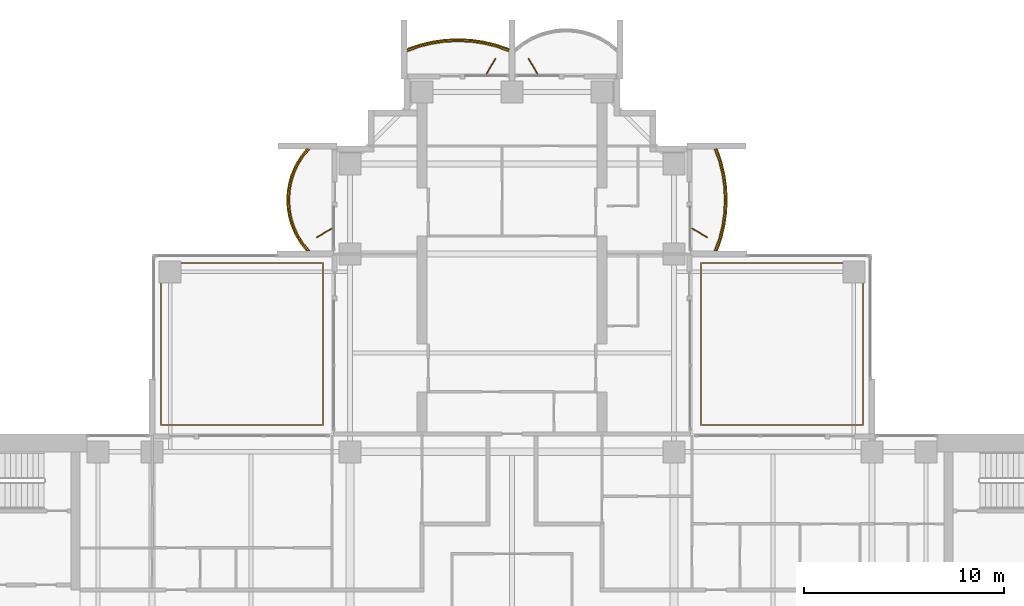
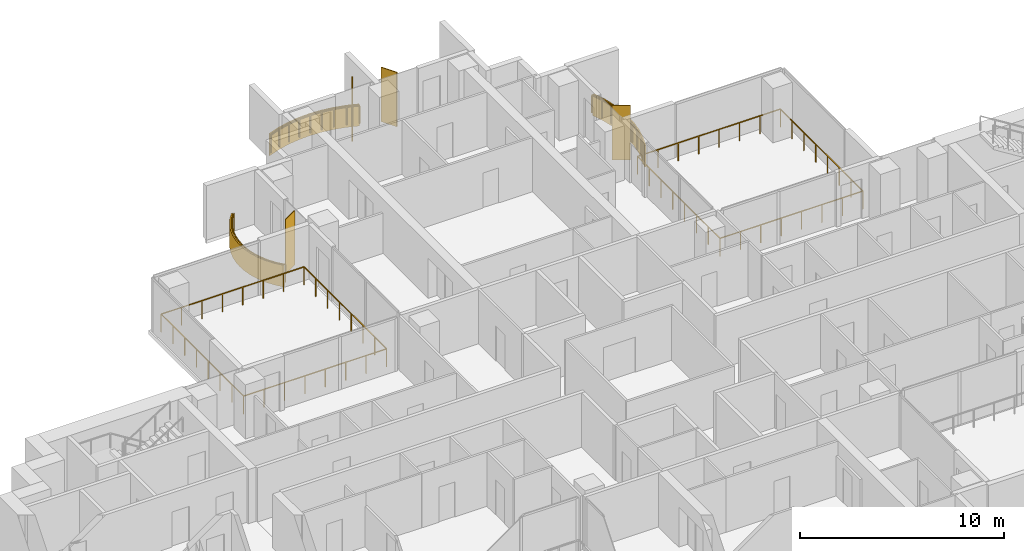
# One storey, part 18 of 19: 5 railings, 4 shading devices, 3 coverings.
"""IFC4 building model written with IfcOpenShell, lengths in metres."""

from ifc_helpers import new_model, si_unit, direction, frame, origin, origin_2d, place, context, subcontext, project, spatial, polyline, rectangle, outline, extrude, material, layer, layer_set, type_object, element, save


model = new_model("IFC4")

# Units and contexts
model_context = context("Model", 3, precision=1e-05, world=origin(), true_north=direction((0.0, 1.0)))
body_context = subcontext(model_context, "Body", "Model", "MODEL_VIEW")
ifc_project = project(units=[si_unit("LENGTHUNIT", "METRE"), si_unit("AREAUNIT", "SQUARE_METRE"), si_unit("VOLUMEUNIT", "CUBIC_METRE"), si_unit("PLANEANGLEUNIT", "RADIAN"), si_unit("MASSUNIT", "GRAM", prefix="KILO")], contexts=[model_context])

# Site, building, storey
site_placement = place(None, origin())
site = spatial("IfcSite", under=ifc_project, at=site_placement, CompositionType="ELEMENT")
building_placement = place(site_placement, origin())
building = spatial("IfcBuilding", under=site, at=building_placement, Name="Perihelion Cross Residences", CompositionType="ELEMENT")
storey_placement = place(building_placement, frame((0.0, 0.0, 119.89990234375)))
storey = spatial("IfcBuildingStorey", under=building, at=storey_placement, Name="L28", CompositionType="ELEMENT", Elevation=119.89990234375)

# Coverings
ifc_material_1 = material(Name="Bronze anodised aluminium", Category="aluminium")
ifc_layer_1 = layer(ifc_material_1, 0.070068359375)
ifc_layer_set_1 = layer_set([ifc_layer_1], Name="Balcony fascia 1300")
covering_type = type_object("IfcCoveringType", Name="Balcony fascia 1300", PredefinedType="CLADDING", material=ifc_layer_set_1)
covering_1_placement = place(storey_placement, frame((0.0, 0.0, -0.199951171875)))
element("IfcCovering", 1, at=covering_1_placement, inside=storey, type_object=covering_type, Name="Fascia BF1 L28 north side east bay 2", PredefinedType="CLADDING", context=body_context, shape_type="SweptSolid", body=[
    extrude(outline(polyline([(10.49072265625, 18.767578125), (10.647216796875, 19.411865234375), (10.739501953125, 20.055908203125), (10.77001953125, 20.699951171875), (10.739501953125, 21.34423828125), (10.647216796875, 21.98828125), (10.49072265625, 22.63232421875), (10.274169921875, 23.25), (10.199951171875, 23.25), (10.423583984375, 22.612548828125), (10.57861328125, 21.97509765625), (10.669921875, 21.33740234375), (10.699951171875, 20.699951171875), (10.669921875, 20.0625), (10.57861328125, 19.425048828125), (10.423583984375, 18.78759765625), (10.199951171875, 18.14990234375), (10.274169921875, 18.14990234375), (10.49072265625, 18.767578125)])), origin(), (0.0, 0.0, 1.0), 1.300048828125),
])
covering_2_placement = place(storey_placement, frame((0.0, 0.0, -0.199951171875)))
element("IfcCovering", 2, at=covering_2_placement, inside=storey, type_object=covering_type, Name="Fascia BF1 L28 north tip north bay 2", PredefinedType="CLADDING", context=body_context, shape_type="SweptSolid", body=[
    extrude(outline(polyline([(-0.767578125, 28.49072265625), (-1.411865234375, 28.647216796875), (-2.055908203125, 28.739501953125), (-2.699951171875, 28.77001953125), (-3.34423828125, 28.739501953125), (-3.98828125, 28.647216796875), (-4.63232421875, 28.49072265625), (-5.25, 28.274169921875), (-5.25, 28.199951171875), (-4.612548828125, 28.423583984375), (-3.97509765625, 28.57861328125), (-3.33740234375, 28.669921875), (-2.699951171875, 28.699951171875), (-2.0625, 28.669921875), (-1.425048828125, 28.57861328125), (-0.78759765625, 28.423583984375), (-0.14990234375, 28.199951171875), (-0.14990234375, 28.274169921875), (-0.767578125, 28.49072265625)])), origin(), (0.0, 0.0, 1.0), 1.300048828125),
])
covering_3_placement = place(storey_placement, frame((0.0, 0.0, -0.199951171875)))
element("IfcCovering", 3, at=covering_3_placement, inside=storey, type_object=covering_type, Name="Fascia BF1 L28 north side west bay 1", PredefinedType="CLADDING", context=body_context, shape_type="SweptSolid", body=[
    extrude(outline(polyline([(-10.59765625, 22.86474609375), (-10.85498046875, 22.431884765625), (-11.04248046875, 21.998779296875), (-11.170654296875, 21.56591796875), (-11.245361328125, 21.133056640625), (-11.27001953125, 20.699951171875), (-11.245361328125, 20.26708984375), (-11.170654296875, 19.833984375), (-11.04248046875, 19.401123046875), (-10.85498046875, 18.96826171875), (-10.59765625, 18.53515625), (-10.28955078125, 18.14990234375), (-10.199951171875, 18.14990234375), (-10.5400390625, 18.574951171875), (-10.792724609375, 19.0), (-10.9765625, 19.425048828125), (-11.1025390625, 19.85009765625), (-11.17578125, 20.27490234375), (-11.199951171875, 20.699951171875), (-11.17578125, 21.125), (-11.1025390625, 21.550048828125), (-10.9765625, 21.97509765625), (-10.792724609375, 22.39990234375), (-10.5400390625, 22.824951171875), (-10.199951171875, 23.25), (-10.28955078125, 23.25), (-10.59765625, 22.86474609375)])), origin(), (0.0, 0.0, 1.0), 1.300048828125),
])

# Railings
ifc_material_2 = material(Name="Bronze anodised aluminium", Category="aluminium")
railing_type = type_object("IfcRailingType", Name="Balcony guard 1100", PredefinedType="GUARDRAIL", material=ifc_material_2)
railing_1_placement = place(storey_placement, frame((10.139892578125, 18.175048828125, 0.0)))
element("IfcRailing", 4, at=railing_1_placement, inside=storey, type_object=railing_type, Name="Guard GU1 L28 north side east bay 2 balcony", PredefinedType="GUARDRAIL", context=body_context, shape_type="SweptSolid", body=[
    extrude(rectangle(XDim=0.048095703125, YDim=0.048095703125, at=origin_2d()), frame((0.0, 0.0, 1.076171875), z_axis=(0.342945217749, 0.939355405384, 0.0), x_axis=(-0.939355405384, 0.342945217749, 0.0)), (0.0, 0.0, 1.0), 0.652099609375),
    extrude(rectangle(XDim=0.048095703125, YDim=0.048095703125, at=origin_2d()), frame((0.2236328125, 0.612548828125, 1.076171875), z_axis=(0.236313594268, 0.971676841941, 0.0), x_axis=(-0.971676841941, 0.236313594268, 0.0)), (0.0, 0.0, 1.0), 0.656005859375),
    extrude(rectangle(XDim=0.048095703125, YDim=0.048095703125, at=origin_2d()), frame((0.378662109375, 1.25, 1.076171875), z_axis=(0.141792889142, 0.989896346386, 0.0), x_axis=(-0.989896346386, 0.141792889142, 0.0)), (0.0, 0.0, 1.0), 0.64404296875),
    extrude(rectangle(XDim=0.048095703125, YDim=0.048095703125, at=origin_2d()), frame((0.469970703125, 1.887451171875, 1.076171875), z_axis=(0.04705620296, 0.998892243319, 0.0), x_axis=(-0.998892243319, 0.04705620296, 0.0)), (0.0, 0.0, 1.0), 0.63818359375),
    extrude(rectangle(XDim=0.048095703125, YDim=0.048095703125, at=origin_2d()), frame((0.5, 2.52490234375, 1.076171875), z_axis=(-0.04705620296, 0.998892243319, 0.0), x_axis=(-0.998892243319, -0.04705620296, 0.0)), (0.0, 0.0, 1.0), 0.63818359375),
    extrude(rectangle(XDim=0.048095703125, YDim=0.048095703125, at=origin_2d()), frame((0.469970703125, 3.162353515625, 1.076171875), z_axis=(-0.141739694763, 0.989903964498, 0.0), x_axis=(-0.989903964498, -0.141739694763, 0.0)), (0.0, 0.0, 1.0), 0.644287109375),
    extrude(rectangle(XDim=0.048095703125, YDim=0.048095703125, at=origin_2d()), frame((0.378662109375, 3.800048828125, 1.076171875), z_axis=(-0.236313594268, 0.971676841941, 0.0), x_axis=(-0.971676841941, -0.236313594268, 0.0)), (0.0, 0.0, 1.0), 0.656005859375),
    extrude(rectangle(XDim=0.048095703125, YDim=0.048095703125, at=origin_2d()), frame((0.2236328125, 4.4375, 1.076171875), z_axis=(-0.342945217749, 0.939355405384, 0.0), x_axis=(-0.939355405384, -0.342945217749, 0.0)), (0.0, 0.0, 1.0), 0.652099609375),
    extrude(rectangle(XDim=0.0419921875, YDim=0.0419921875, at=origin_2d()), origin(), (0.0, 0.0, 1.0), 1.052001953125),
    extrude(rectangle(XDim=0.0419921875, YDim=0.0419921875, at=origin_2d()), frame((0.2236328125, 0.612548828125, 0.0)), (0.0, 0.0, 1.0), 1.052001953125),
    extrude(rectangle(XDim=0.0419921875, YDim=0.0419921875, at=origin_2d()), frame((0.378662109375, 1.25, 0.0)), (0.0, 0.0, 1.0), 1.052001953125),
    extrude(rectangle(XDim=0.0419921875, YDim=0.0419921875, at=origin_2d()), frame((0.469970703125, 1.887451171875, 0.0)), (0.0, 0.0, 1.0), 1.052001953125),
    extrude(rectangle(XDim=0.0419921875, YDim=0.0419921875, at=origin_2d()), frame((0.5, 2.52490234375, 0.0)), (0.0, 0.0, 1.0), 1.052001953125),
    extrude(rectangle(XDim=0.0419921875, YDim=0.0419921875, at=origin_2d()), frame((0.469970703125, 3.162353515625, 0.0)), (0.0, 0.0, 1.0), 1.052001953125),
    extrude(rectangle(XDim=0.0419921875, YDim=0.0419921875, at=origin_2d()), frame((0.378662109375, 3.800048828125, 0.0)), (0.0, 0.0, 1.0), 1.052001953125),
    extrude(rectangle(XDim=0.0419921875, YDim=0.0419921875, at=origin_2d()), frame((0.2236328125, 4.4375, 0.0)), (0.0, 0.0, 1.0), 1.052001953125),
    extrude(rectangle(XDim=0.0419921875, YDim=0.0419921875, at=origin_2d()), frame((0.0, 5.050048828125, 0.0)), (0.0, 0.0, 1.0), 1.052001953125),
])
railing_2_placement = place(storey_placement, frame((-0.175048828125, 28.139892578125, 0.0)))
element("IfcRailing", 5, at=railing_2_placement, inside=storey, type_object=railing_type, Name="Guard GU1 L28 north tip north bay 2 balcony", PredefinedType="GUARDRAIL", context=body_context, shape_type="SweptSolid", body=[
    extrude(rectangle(XDim=0.048095703125, YDim=0.048095703125, at=origin_2d()), frame((0.0, 0.0, 1.076171875), z_axis=(-0.939355405384, 0.342945217749, 0.0), x_axis=(-0.342945217749, -0.939355405384, 0.0)), (0.0, 0.0, 1.0), 0.652099609375),
    extrude(rectangle(XDim=0.048095703125, YDim=0.048095703125, at=origin_2d()), frame((-0.612548828125, 0.2236328125, 1.076171875), z_axis=(-0.971676841941, 0.236313594268, 0.0), x_axis=(-0.236313594268, -0.971676841941, 0.0)), (0.0, 0.0, 1.0), 0.656005859375),
    extrude(rectangle(XDim=0.048095703125, YDim=0.048095703125, at=origin_2d()), frame((-1.25, 0.378662109375, 1.076171875), z_axis=(-0.989896346386, 0.141792889142, 0.0), x_axis=(-0.141792889142, -0.989896346386, 0.0)), (0.0, 0.0, 1.0), 0.64404296875),
    extrude(rectangle(XDim=0.048095703125, YDim=0.048095703125, at=origin_2d()), frame((-1.887451171875, 0.469970703125, 1.076171875), z_axis=(-0.998892243319, 0.04705620296, 0.0), x_axis=(-0.04705620296, -0.998892243319, 0.0)), (0.0, 0.0, 1.0), 0.63818359375),
    extrude(rectangle(XDim=0.048095703125, YDim=0.048095703125, at=origin_2d()), frame((-2.52490234375, 0.5, 1.076171875), z_axis=(-0.998892243319, -0.04705620296, 0.0), x_axis=(0.04705620296, -0.998892243319, 0.0)), (0.0, 0.0, 1.0), 0.63818359375),
    extrude(rectangle(XDim=0.048095703125, YDim=0.048095703125, at=origin_2d()), frame((-3.162353515625, 0.469970703125, 1.076171875), z_axis=(-0.989903964498, -0.141739694763, 0.0), x_axis=(0.141739694763, -0.989903964498, 0.0)), (0.0, 0.0, 1.0), 0.644287109375),
    extrude(rectangle(XDim=0.048095703125, YDim=0.048095703125, at=origin_2d()), frame((-3.800048828125, 0.378662109375, 1.076171875), z_axis=(-0.971676841941, -0.236313594268, 0.0), x_axis=(0.236313594268, -0.971676841941, 0.0)), (0.0, 0.0, 1.0), 0.656005859375),
    extrude(rectangle(XDim=0.048095703125, YDim=0.048095703125, at=origin_2d()), frame((-4.4375, 0.2236328125, 1.076171875), z_axis=(-0.939355405384, -0.342945217749, 0.0), x_axis=(0.342945217749, -0.939355405384, 0.0)), (0.0, 0.0, 1.0), 0.652099609375),
    extrude(rectangle(XDim=0.0419921875, YDim=0.0419921875, at=origin_2d()), origin(), (0.0, 0.0, 1.0), 1.052001953125),
    extrude(rectangle(XDim=0.0419921875, YDim=0.0419921875, at=origin_2d()), frame((-0.612548828125, 0.2236328125, 0.0)), (0.0, 0.0, 1.0), 1.052001953125),
    extrude(rectangle(XDim=0.0419921875, YDim=0.0419921875, at=origin_2d()), frame((-1.25, 0.378662109375, 0.0)), (0.0, 0.0, 1.0), 1.052001953125),
    extrude(rectangle(XDim=0.0419921875, YDim=0.0419921875, at=origin_2d()), frame((-1.887451171875, 0.469970703125, 0.0)), (0.0, 0.0, 1.0), 1.052001953125),
    extrude(rectangle(XDim=0.0419921875, YDim=0.0419921875, at=origin_2d()), frame((-2.52490234375, 0.5, 0.0)), (0.0, 0.0, 1.0), 1.052001953125),
    extrude(rectangle(XDim=0.0419921875, YDim=0.0419921875, at=origin_2d()), frame((-3.162353515625, 0.469970703125, 0.0)), (0.0, 0.0, 1.0), 1.052001953125),
    extrude(rectangle(XDim=0.0419921875, YDim=0.0419921875, at=origin_2d()), frame((-3.800048828125, 0.378662109375, 0.0)), (0.0, 0.0, 1.0), 1.052001953125),
    extrude(rectangle(XDim=0.0419921875, YDim=0.0419921875, at=origin_2d()), frame((-4.4375, 0.2236328125, 0.0)), (0.0, 0.0, 1.0), 1.052001953125),
    extrude(rectangle(XDim=0.0419921875, YDim=0.0419921875, at=origin_2d()), frame((-5.050048828125, 0.0, 0.0)), (0.0, 0.0, 1.0), 1.052001953125),
])
railing_3_placement = place(storey_placement, frame((-10.139892578125, 23.22509765625, 0.0)))
element("IfcRailing", 6, at=railing_3_placement, inside=storey, type_object=railing_type, Name="Guard GU1 L28 north side west bay 1 balcony", PredefinedType="GUARDRAIL", context=body_context, shape_type="SweptSolid", body=[
    extrude(rectangle(XDim=0.048095703125, YDim=0.048095703125, at=origin_2d()), frame((0.0, 0.0, 1.076171875), z_axis=(-0.647607934281, -0.761973728849, 0.0), x_axis=(0.761973728849, -0.647607934281, 0.0)), (0.0, 0.0, 1.0), 0.525146484375),
    extrude(rectangle(XDim=0.048095703125, YDim=0.048095703125, at=origin_2d()), frame((-0.340087890625, -0.400146484375, 1.076171875), z_axis=(-0.511006381501, -0.859576918062, 0.0), x_axis=(0.859576918062, -0.511006381501, 0.0)), (0.0, 0.0, 1.0), 0.494384765625),
    extrude(rectangle(XDim=0.048095703125, YDim=0.048095703125, at=origin_2d()), frame((-0.5927734375, -0.8251953125, 1.076171875), z_axis=(-0.397607437634, -0.91755562531, 0.0), x_axis=(0.91755562531, -0.397607437634, 0.0)), (0.0, 0.0, 1.0), 0.462890625),
    extrude(rectangle(XDim=0.048095703125, YDim=0.048095703125, at=origin_2d()), frame((-0.77685546875, -1.25, 1.076171875), z_axis=(-0.283656975924, -0.958925815697, 0.0), x_axis=(0.958925815697, -0.283656975924, 0.0)), (0.0, 0.0, 1.0), 0.443359375),
    extrude(rectangle(XDim=0.048095703125, YDim=0.048095703125, at=origin_2d()), frame((-0.902587890625, -1.675048828125, 1.076171875), z_axis=(-0.17036177859, -0.985381583142, 0.0), x_axis=(0.985381583142, -0.17036177859, 0.0)), (0.0, 0.0, 1.0), 0.431396484375),
    extrude(rectangle(XDim=0.048095703125, YDim=0.048095703125, at=origin_2d()), frame((-0.97607421875, -2.10009765625, 1.076171875), z_axis=(-0.056200523353, -0.9984195016, 0.0), x_axis=(0.9984195016, -0.056200523353, 0.0)), (0.0, 0.0, 1.0), 0.42578125),
    extrude(rectangle(XDim=0.048095703125, YDim=0.048095703125, at=origin_2d()), frame((-1.0, -2.525146484375, 1.076171875), z_axis=(0.056200523353, -0.9984195016, 0.0), x_axis=(0.9984195016, 0.056200523353, 0.0)), (0.0, 0.0, 1.0), 0.42578125),
    extrude(rectangle(XDim=0.048095703125, YDim=0.048095703125, at=origin_2d()), frame((-0.97607421875, -2.9501953125, 1.076171875), z_axis=(0.170456843651, -0.985365142702, 0.0), x_axis=(0.985365142702, 0.170456843651, 0.0)), (0.0, 0.0, 1.0), 0.43115234375),
    extrude(rectangle(XDim=0.048095703125, YDim=0.048095703125, at=origin_2d()), frame((-0.902587890625, -3.375, 1.076171875), z_axis=(0.283656975924, -0.958925815697, 0.0), x_axis=(0.958925815697, 0.283656975924, 0.0)), (0.0, 0.0, 1.0), 0.443359375),
    extrude(rectangle(XDim=0.048095703125, YDim=0.048095703125, at=origin_2d()), frame((-0.77685546875, -3.800048828125, 1.076171875), z_axis=(0.397415137459, -0.917638931453, 0.0), x_axis=(0.917638931453, 0.397415137459, 0.0)), (0.0, 0.0, 1.0), 0.463134765625),
    extrude(rectangle(XDim=0.048095703125, YDim=0.048095703125, at=origin_2d()), frame((-0.5927734375, -4.22509765625, 1.076171875), z_axis=(0.511006381501, -0.859576918062, 0.0), x_axis=(0.859576918062, 0.511006381501, 0.0)), (0.0, 0.0, 1.0), 0.494384765625),
    extrude(rectangle(XDim=0.048095703125, YDim=0.048095703125, at=origin_2d()), frame((-0.340087890625, -4.650146484375, 1.076171875), z_axis=(0.647837396648, -0.761778647315, 0.0), x_axis=(0.761778647315, 0.647837396648, 0.0)), (0.0, 0.0, 1.0), 0.52490234375),
    extrude(rectangle(XDim=0.0419921875, YDim=0.0419921875, at=origin_2d()), origin(), (0.0, 0.0, 1.0), 1.052001953125),
    extrude(rectangle(XDim=0.0419921875, YDim=0.0419921875, at=origin_2d()), frame((-0.340087890625, -0.400146484375, 0.0)), (0.0, 0.0, 1.0), 1.052001953125),
    extrude(rectangle(XDim=0.0419921875, YDim=0.0419921875, at=origin_2d()), frame((-0.5927734375, -0.8251953125, 0.0)), (0.0, 0.0, 1.0), 1.052001953125),
    extrude(rectangle(XDim=0.0419921875, YDim=0.0419921875, at=origin_2d()), frame((-0.77685546875, -1.25, 0.0)), (0.0, 0.0, 1.0), 1.052001953125),
    extrude(rectangle(XDim=0.0419921875, YDim=0.0419921875, at=origin_2d()), frame((-0.902587890625, -1.675048828125, 0.0)), (0.0, 0.0, 1.0), 1.052001953125),
    extrude(rectangle(XDim=0.0419921875, YDim=0.0419921875, at=origin_2d()), frame((-0.97607421875, -2.10009765625, 0.0)), (0.0, 0.0, 1.0), 1.052001953125),
    extrude(rectangle(XDim=0.0419921875, YDim=0.0419921875, at=origin_2d()), frame((-1.0, -2.525146484375, 0.0)), (0.0, 0.0, 1.0), 1.052001953125),
    extrude(rectangle(XDim=0.0419921875, YDim=0.0419921875, at=origin_2d()), frame((-0.97607421875, -2.9501953125, 0.0)), (0.0, 0.0, 1.0), 1.052001953125),
    extrude(rectangle(XDim=0.0419921875, YDim=0.0419921875, at=origin_2d()), frame((-0.902587890625, -3.375, 0.0)), (0.0, 0.0, 1.0), 1.052001953125),
    extrude(rectangle(XDim=0.0419921875, YDim=0.0419921875, at=origin_2d()), frame((-0.77685546875, -3.800048828125, 0.0)), (0.0, 0.0, 1.0), 1.052001953125),
    extrude(rectangle(XDim=0.0419921875, YDim=0.0419921875, at=origin_2d()), frame((-0.5927734375, -4.22509765625, 0.0)), (0.0, 0.0, 1.0), 1.052001953125),
    extrude(rectangle(XDim=0.0419921875, YDim=0.0419921875, at=origin_2d()), frame((-0.340087890625, -4.650146484375, 0.0)), (0.0, 0.0, 1.0), 1.052001953125),
    extrude(rectangle(XDim=0.0419921875, YDim=0.0419921875, at=origin_2d()), frame((0.0, -5.050048828125, 0.0)), (0.0, 0.0, 1.0), 1.052001953125),
])
railing_4_placement = place(storey_placement, frame((17.550048828125, 9.449951171875, 0.0)))
element("IfcRailing", 7, at=railing_4_placement, inside=storey, type_object=railing_type, Name="Guard GU1 L28 pocket north-east 1", PredefinedType="GUARDRAIL", context=body_context, shape_type="SweptSolid", body=[
    extrude(rectangle(XDim=0.048095703125, YDim=0.048095703125, at=origin_2d()), frame((0.0, 0.0, 1.076171875), z_axis=(-1.0, 0.0, 0.0), x_axis=(0.0, -1.0, 0.0)), (0.0, 0.0, 1.0), 8.10009765625),
    extrude(rectangle(XDim=0.048095703125, YDim=0.048095703125, at=origin_2d()), frame((-8.10009765625, 0.0, 1.076171875), z_axis=(0.0, 1.0, 0.0), x_axis=(-1.0, 0.0, 0.0)), (0.0, 0.0, 1.0), 8.10009765625),
    extrude(rectangle(XDim=0.048095703125, YDim=0.048095703125, at=origin_2d()), frame((-8.10009765625, 8.10009765625, 1.076171875), z_axis=(1.0, 0.0, 0.0), x_axis=(0.0, 1.0, 0.0)), (0.0, 0.0, 1.0), 8.10009765625),
    extrude(rectangle(XDim=0.048095703125, YDim=0.048095703125, at=origin_2d()), frame((0.0, 8.10009765625, 1.076171875), z_axis=(0.0, -1.0, 0.0), x_axis=(1.0, 0.0, 0.0)), (0.0, 0.0, 1.0), 8.10009765625),
    extrude(rectangle(XDim=0.0419921875, YDim=0.0419921875, at=origin_2d()), origin(), (0.0, 0.0, 1.0), 1.052001953125),
    extrude(rectangle(XDim=0.0419921875, YDim=0.0419921875, at=origin_2d()), frame((-1.1572265625, 0.0, 0.0)), (0.0, 0.0, 1.0), 1.052001953125),
    extrude(rectangle(XDim=0.0419921875, YDim=0.0419921875, at=origin_2d()), frame((-2.314208984375, 0.0, 0.0)), (0.0, 0.0, 1.0), 1.052001953125),
    extrude(rectangle(XDim=0.0419921875, YDim=0.0419921875, at=origin_2d()), frame((-3.471435546875, 0.0, 0.0)), (0.0, 0.0, 1.0), 1.052001953125),
    extrude(rectangle(XDim=0.0419921875, YDim=0.0419921875, at=origin_2d()), frame((-4.628662109375, 0.0, 0.0)), (0.0, 0.0, 1.0), 1.052001953125),
    extrude(rectangle(XDim=0.0419921875, YDim=0.0419921875, at=origin_2d()), frame((-5.785888671875, 0.0, 0.0)), (0.0, 0.0, 1.0), 1.052001953125),
    extrude(rectangle(XDim=0.0419921875, YDim=0.0419921875, at=origin_2d()), frame((-6.94287109375, 0.0, 0.0)), (0.0, 0.0, 1.0), 1.052001953125),
    extrude(rectangle(XDim=0.0419921875, YDim=0.0419921875, at=origin_2d()), frame((-8.10009765625, 0.0, 0.0)), (0.0, 0.0, 1.0), 1.052001953125),
    extrude(rectangle(XDim=0.0419921875, YDim=0.0419921875, at=origin_2d()), frame((-8.10009765625, 1.1572265625, 0.0)), (0.0, 0.0, 1.0), 1.052001953125),
    extrude(rectangle(XDim=0.0419921875, YDim=0.0419921875, at=origin_2d()), frame((-8.10009765625, 2.314208984375, 0.0)), (0.0, 0.0, 1.0), 1.052001953125),
    extrude(rectangle(XDim=0.0419921875, YDim=0.0419921875, at=origin_2d()), frame((-8.10009765625, 3.471435546875, 0.0)), (0.0, 0.0, 1.0), 1.052001953125),
    extrude(rectangle(XDim=0.0419921875, YDim=0.0419921875, at=origin_2d()), frame((-8.10009765625, 4.628662109375, 0.0)), (0.0, 0.0, 1.0), 1.052001953125),
    extrude(rectangle(XDim=0.0419921875, YDim=0.0419921875, at=origin_2d()), frame((-8.10009765625, 5.785888671875, 0.0)), (0.0, 0.0, 1.0), 1.052001953125),
    extrude(rectangle(XDim=0.0419921875, YDim=0.0419921875, at=origin_2d()), frame((-8.10009765625, 6.94287109375, 0.0)), (0.0, 0.0, 1.0), 1.052001953125),
    extrude(rectangle(XDim=0.0419921875, YDim=0.0419921875, at=origin_2d()), frame((-8.10009765625, 8.10009765625, 0.0)), (0.0, 0.0, 1.0), 1.052001953125),
    extrude(rectangle(XDim=0.0419921875, YDim=0.0419921875, at=origin_2d()), frame((-6.94287109375, 8.10009765625, 0.0)), (0.0, 0.0, 1.0), 1.052001953125),
    extrude(rectangle(XDim=0.0419921875, YDim=0.0419921875, at=origin_2d()), frame((-5.785888671875, 8.10009765625, 0.0)), (0.0, 0.0, 1.0), 1.052001953125),
    extrude(rectangle(XDim=0.0419921875, YDim=0.0419921875, at=origin_2d()), frame((-4.628662109375, 8.10009765625, 0.0)), (0.0, 0.0, 1.0), 1.052001953125),
    extrude(rectangle(XDim=0.0419921875, YDim=0.0419921875, at=origin_2d()), frame((-3.471435546875, 8.10009765625, 0.0)), (0.0, 0.0, 1.0), 1.052001953125),
    extrude(rectangle(XDim=0.0419921875, YDim=0.0419921875, at=origin_2d()), frame((-2.314208984375, 8.10009765625, 0.0)), (0.0, 0.0, 1.0), 1.052001953125),
    extrude(rectangle(XDim=0.0419921875, YDim=0.0419921875, at=origin_2d()), frame((-1.1572265625, 8.10009765625, 0.0)), (0.0, 0.0, 1.0), 1.052001953125),
    extrude(rectangle(XDim=0.0419921875, YDim=0.0419921875, at=origin_2d()), frame((0.0, 8.10009765625, 0.0)), (0.0, 0.0, 1.0), 1.052001953125),
    extrude(rectangle(XDim=0.0419921875, YDim=0.0419921875, at=origin_2d()), frame((0.0, 6.94287109375, 0.0)), (0.0, 0.0, 1.0), 1.052001953125),
    extrude(rectangle(XDim=0.0419921875, YDim=0.0419921875, at=origin_2d()), frame((0.0, 5.785888671875, 0.0)), (0.0, 0.0, 1.0), 1.052001953125),
    extrude(rectangle(XDim=0.0419921875, YDim=0.0419921875, at=origin_2d()), frame((0.0, 4.628662109375, 0.0)), (0.0, 0.0, 1.0), 1.052001953125),
    extrude(rectangle(XDim=0.0419921875, YDim=0.0419921875, at=origin_2d()), frame((0.0, 3.471435546875, 0.0)), (0.0, 0.0, 1.0), 1.052001953125),
    extrude(rectangle(XDim=0.0419921875, YDim=0.0419921875, at=origin_2d()), frame((0.0, 2.314208984375, 0.0)), (0.0, 0.0, 1.0), 1.052001953125),
    extrude(rectangle(XDim=0.0419921875, YDim=0.0419921875, at=origin_2d()), frame((0.0, 1.1572265625, 0.0)), (0.0, 0.0, 1.0), 1.052001953125),
])
railing_5_placement = place(storey_placement, frame((-9.449951171875, 9.449951171875, 0.0)))
element("IfcRailing", 8, at=railing_5_placement, inside=storey, type_object=railing_type, Name="Guard GU1 L28 pocket north-west 1", PredefinedType="GUARDRAIL", context=body_context, shape_type="SweptSolid", body=[
    extrude(rectangle(XDim=0.048095703125, YDim=0.048095703125, at=origin_2d()), frame((0.0, 0.0, 1.076171875), z_axis=(-1.0, 0.0, 0.0), x_axis=(0.0, -1.0, 0.0)), (0.0, 0.0, 1.0), 8.10009765625),
    extrude(rectangle(XDim=0.048095703125, YDim=0.048095703125, at=origin_2d()), frame((-8.10009765625, 0.0, 1.076171875), z_axis=(0.0, 1.0, 0.0), x_axis=(-1.0, 0.0, 0.0)), (0.0, 0.0, 1.0), 8.10009765625),
    extrude(rectangle(XDim=0.048095703125, YDim=0.048095703125, at=origin_2d()), frame((-8.10009765625, 8.10009765625, 1.076171875), z_axis=(1.0, 0.0, 0.0), x_axis=(0.0, 1.0, 0.0)), (0.0, 0.0, 1.0), 8.10009765625),
    extrude(rectangle(XDim=0.048095703125, YDim=0.048095703125, at=origin_2d()), frame((0.0, 8.10009765625, 1.076171875), z_axis=(0.0, -1.0, 0.0), x_axis=(1.0, 0.0, 0.0)), (0.0, 0.0, 1.0), 8.10009765625),
    extrude(rectangle(XDim=0.0419921875, YDim=0.0419921875, at=origin_2d()), origin(), (0.0, 0.0, 1.0), 1.052001953125),
    extrude(rectangle(XDim=0.0419921875, YDim=0.0419921875, at=origin_2d()), frame((-1.1572265625, 0.0, 0.0)), (0.0, 0.0, 1.0), 1.052001953125),
    extrude(rectangle(XDim=0.0419921875, YDim=0.0419921875, at=origin_2d()), frame((-2.314208984375, 0.0, 0.0)), (0.0, 0.0, 1.0), 1.052001953125),
    extrude(rectangle(XDim=0.0419921875, YDim=0.0419921875, at=origin_2d()), frame((-3.471435546875, 0.0, 0.0)), (0.0, 0.0, 1.0), 1.052001953125),
    extrude(rectangle(XDim=0.0419921875, YDim=0.0419921875, at=origin_2d()), frame((-4.628662109375, 0.0, 0.0)), (0.0, 0.0, 1.0), 1.052001953125),
    extrude(rectangle(XDim=0.0419921875, YDim=0.0419921875, at=origin_2d()), frame((-5.785888671875, 0.0, 0.0)), (0.0, 0.0, 1.0), 1.052001953125),
    extrude(rectangle(XDim=0.0419921875, YDim=0.0419921875, at=origin_2d()), frame((-6.94287109375, 0.0, 0.0)), (0.0, 0.0, 1.0), 1.052001953125),
    extrude(rectangle(XDim=0.0419921875, YDim=0.0419921875, at=origin_2d()), frame((-8.10009765625, 0.0, 0.0)), (0.0, 0.0, 1.0), 1.052001953125),
    extrude(rectangle(XDim=0.0419921875, YDim=0.0419921875, at=origin_2d()), frame((-8.10009765625, 1.1572265625, 0.0)), (0.0, 0.0, 1.0), 1.052001953125),
    extrude(rectangle(XDim=0.0419921875, YDim=0.0419921875, at=origin_2d()), frame((-8.10009765625, 2.314208984375, 0.0)), (0.0, 0.0, 1.0), 1.052001953125),
    extrude(rectangle(XDim=0.0419921875, YDim=0.0419921875, at=origin_2d()), frame((-8.10009765625, 3.471435546875, 0.0)), (0.0, 0.0, 1.0), 1.052001953125),
    extrude(rectangle(XDim=0.0419921875, YDim=0.0419921875, at=origin_2d()), frame((-8.10009765625, 4.628662109375, 0.0)), (0.0, 0.0, 1.0), 1.052001953125),
    extrude(rectangle(XDim=0.0419921875, YDim=0.0419921875, at=origin_2d()), frame((-8.10009765625, 5.785888671875, 0.0)), (0.0, 0.0, 1.0), 1.052001953125),
    extrude(rectangle(XDim=0.0419921875, YDim=0.0419921875, at=origin_2d()), frame((-8.10009765625, 6.94287109375, 0.0)), (0.0, 0.0, 1.0), 1.052001953125),
    extrude(rectangle(XDim=0.0419921875, YDim=0.0419921875, at=origin_2d()), frame((-8.10009765625, 8.10009765625, 0.0)), (0.0, 0.0, 1.0), 1.052001953125),
    extrude(rectangle(XDim=0.0419921875, YDim=0.0419921875, at=origin_2d()), frame((-6.94287109375, 8.10009765625, 0.0)), (0.0, 0.0, 1.0), 1.052001953125),
    extrude(rectangle(XDim=0.0419921875, YDim=0.0419921875, at=origin_2d()), frame((-5.785888671875, 8.10009765625, 0.0)), (0.0, 0.0, 1.0), 1.052001953125),
    extrude(rectangle(XDim=0.0419921875, YDim=0.0419921875, at=origin_2d()), frame((-4.628662109375, 8.10009765625, 0.0)), (0.0, 0.0, 1.0), 1.052001953125),
    extrude(rectangle(XDim=0.0419921875, YDim=0.0419921875, at=origin_2d()), frame((-3.471435546875, 8.10009765625, 0.0)), (0.0, 0.0, 1.0), 1.052001953125),
    extrude(rectangle(XDim=0.0419921875, YDim=0.0419921875, at=origin_2d()), frame((-2.314208984375, 8.10009765625, 0.0)), (0.0, 0.0, 1.0), 1.052001953125),
    extrude(rectangle(XDim=0.0419921875, YDim=0.0419921875, at=origin_2d()), frame((-1.1572265625, 8.10009765625, 0.0)), (0.0, 0.0, 1.0), 1.052001953125),
    extrude(rectangle(XDim=0.0419921875, YDim=0.0419921875, at=origin_2d()), frame((0.0, 8.10009765625, 0.0)), (0.0, 0.0, 1.0), 1.052001953125),
    extrude(rectangle(XDim=0.0419921875, YDim=0.0419921875, at=origin_2d()), frame((0.0, 6.94287109375, 0.0)), (0.0, 0.0, 1.0), 1.052001953125),
    extrude(rectangle(XDim=0.0419921875, YDim=0.0419921875, at=origin_2d()), frame((0.0, 5.785888671875, 0.0)), (0.0, 0.0, 1.0), 1.052001953125),
    extrude(rectangle(XDim=0.0419921875, YDim=0.0419921875, at=origin_2d()), frame((0.0, 4.628662109375, 0.0)), (0.0, 0.0, 1.0), 1.052001953125),
    extrude(rectangle(XDim=0.0419921875, YDim=0.0419921875, at=origin_2d()), frame((0.0, 3.471435546875, 0.0)), (0.0, 0.0, 1.0), 1.052001953125),
    extrude(rectangle(XDim=0.0419921875, YDim=0.0419921875, at=origin_2d()), frame((0.0, 2.314208984375, 0.0)), (0.0, 0.0, 1.0), 1.052001953125),
    extrude(rectangle(XDim=0.0419921875, YDim=0.0419921875, at=origin_2d()), frame((0.0, 1.1572265625, 0.0)), (0.0, 0.0, 1.0), 1.052001953125),
])

# Shading devices
ifc_material_3 = material(Name="Bronze anodised aluminium", Category="aluminium")
ifc_layer_2 = layer(ifc_material_3, 0.050048828125)
ifc_layer_set_2 = layer_set([ifc_layer_2], Name="Bronze fin 900")
shading_device_type = type_object("IfcShadingDeviceType", Name="Bronze fin 900", PredefinedType="USERDEFINED", material=ifc_layer_set_2)
for number, where, z_axis, x_axis, name in (
    (9, (9.3896484375, 19.050048828125, 0.0), (0.0, 0.0, 1.0), (0.866025403784, -0.5, 0.0), "Fin FN1 L28 north side east bay 2"),
    (10, (1.050048828125, 27.3896484375, 0.0), (0.0, 0.0, 1.0), (-0.5, 0.866025403784, 0.0), "Fin FN1 L28 north tip north bay 1"),
    (11, (-1.050048828125, 27.3896484375, 0.0), (0.0, 0.0, 1.0), (0.5, 0.866025403784, 0.0), "Fin FN1 L28 north tip north bay 2"),
    (12, (-9.3896484375, 19.050048828125, 0.0), (0.0, 0.0, 1.0), (-0.866025403784, -0.5, 0.0), "Fin FN1 L28 north side west bay 1"),
):
    element("IfcShadingDevice", number, at=place(storey_placement, frame(where, z_axis=z_axis, x_axis=x_axis)), inside=storey, type_object=shading_device_type, Name=name, ObjectType="FIN", PredefinedType="USERDEFINED", context=body_context, shape_type="SweptSolid", body=[
        extrude(rectangle(XDim=0.89990234375, YDim=0.050048828125, at=origin_2d()), origin(), (0.0, 0.0, 1.0), 3.25),
    ])

save(model, "model.ifc")
